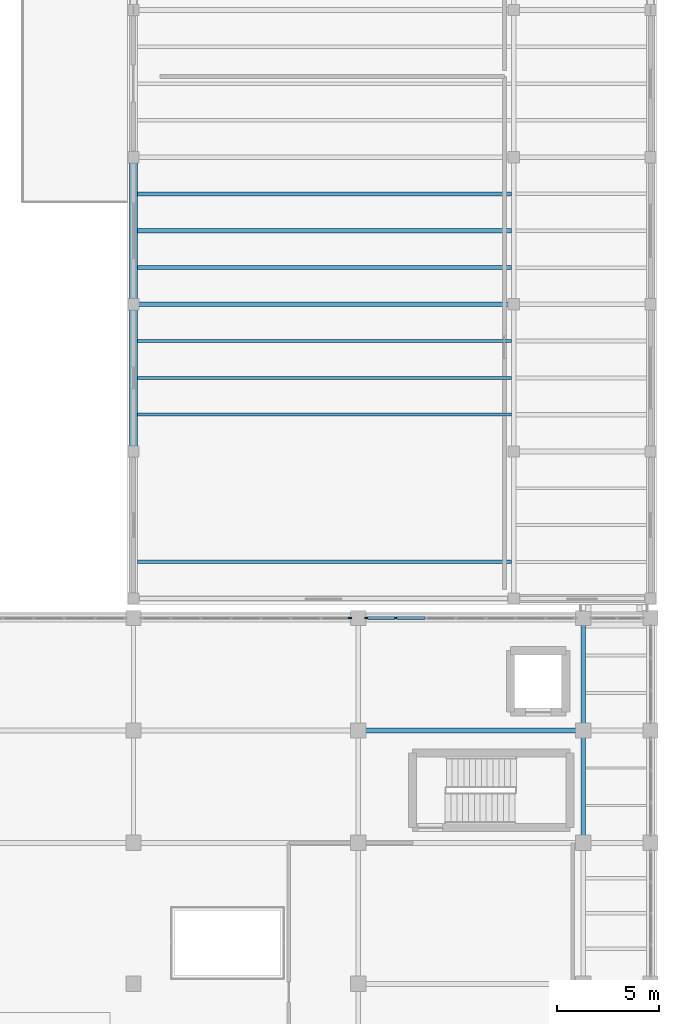
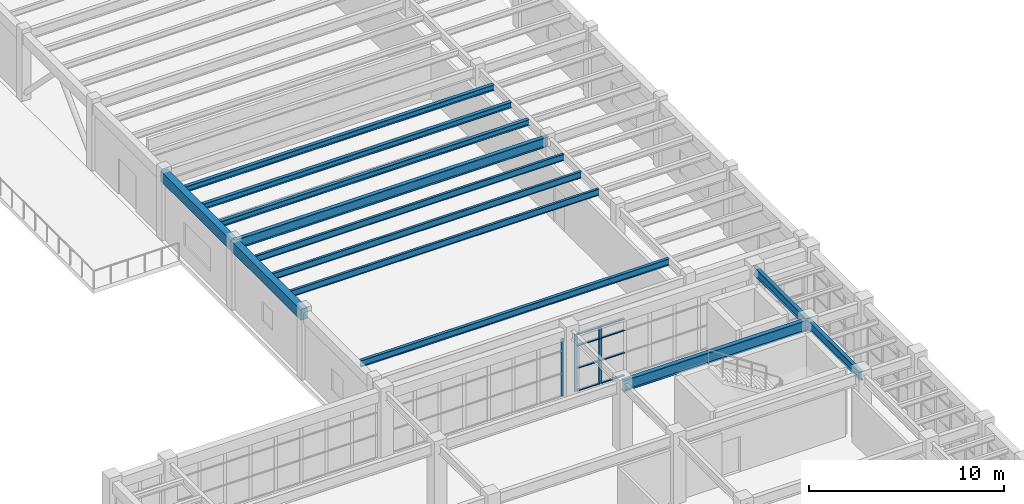
# One storey, part 44 of 85: 13 beams, 11 members, 2 elements without a shape of their own.
"""IFC4 building model written with IfcOpenShell, lengths in metres."""

from ifc_helpers import new_model, si_unit, direction, frame, origin, origin_2d, place, context, subcontext, project, spatial, rectangle, i_section, extrude, material, layer, layer_set, material_profile, profile_set, type_object, element, aggregate, save


model = new_model("IFC4")

# Units and contexts
model_context = context("Model", 3, precision=1e-05, world=origin(), true_north=direction((0.0, 1.0)))
body_context = subcontext(model_context, "Body", "Model", "MODEL_VIEW")
ifc_project = project(units=[si_unit("LENGTHUNIT", "METRE"), si_unit("AREAUNIT", "SQUARE_METRE"), si_unit("VOLUMEUNIT", "CUBIC_METRE"), si_unit("PLANEANGLEUNIT", "RADIAN"), si_unit("MASSUNIT", "GRAM", prefix="KILO")], contexts=[model_context])

# Site, building, storey
site_placement = place(None, origin())
site = spatial("IfcSite", under=ifc_project, at=site_placement, CompositionType="ELEMENT")
building_placement = place(site_placement, origin())
building = spatial("IfcBuilding", under=site, at=building_placement, Name="Candilejo Ridge Gondola Terminal", CompositionType="ELEMENT")
storey_placement = place(building_placement, frame((0.0, 0.0, 4.5)))
storey = spatial("IfcBuildingStorey", under=building, at=storey_placement, Name="L01", CompositionType="ELEMENT", Elevation=4.5)

# Curtain wall, member
ifc_material_1 = material(Name="Anodised aluminium AA 6063-T6", Category="aluminium")
ifc_layer = layer(ifc_material_1, 0.169921875)
ifc_layer_set = layer_set([ifc_layer], Name="ARC-CW-HALL-3800-1025X359")
curtain_wall_type = type_object("IfcCurtainWallType", Name="ARC-CW-HALL-3800-1025X359", PredefinedType="NOTDEFINED", material=ifc_layer_set)
curtain_wall_1_placement = place(storey_placement, origin())
curtain_wall_1 = element("IfcCurtainWall", 1, at=curtain_wall_1_placement, inside=storey, type_object=curtain_wall_type, Name="Curtain wall V4 L01-127", PredefinedType="NOTDEFINED")
ifc_material_2 = material(Name="Anodised aluminium AA 6063-T6", Category="aluminium")
ifc_material_profile_1 = material_profile(ifc_material_2, rectangle(XDim=0.06494140625, YDim=0.179931640625, at=origin_2d()))
ifc_profile_set_1 = profile_set([ifc_material_profile_1], Name="Anodised aluminium AA 6063-T6")
member_type_1 = type_object("IfcMemberType", Name="ARC-CW-MULLION-180", PredefinedType="MULLION", material=ifc_profile_set_1)
member_1_placement = place(storey_placement, frame((160.592529296875, 47.699951171875, 0.0), z_axis=(0.0, 0.0, 1.0), x_axis=(0.0, 1.0, 0.0)))
member_1 = element("IfcMember", 2, at=member_1_placement, type_object=member_type_1, Name="CW-102X35 mullion 8", PredefinedType="MULLION", context=body_context, shape_type="SweptSolid", body=[
    extrude(rectangle(XDim=0.06494140625, YDim=0.179931640625, at=origin_2d()), origin(), (0.0, 0.0, 1.0), 3.590087890625),
])
aggregate(curtain_wall_1, [member_1])

# Curtain wall, members
curtain_wall_2_placement = place(storey_placement, origin())
curtain_wall_2 = element("IfcCurtainWall", 3, at=curtain_wall_2_placement, inside=storey, type_object=curtain_wall_type, Name="Curtain wall V4 L01-129", PredefinedType="NOTDEFINED")
member_2_placement = place(storey_placement, frame((161.407470703125, 47.699951171875, 0.0), z_axis=(0.0, 0.0, 1.0), x_axis=(0.0, 1.0, 0.0)))
member_2 = element("IfcMember", 4, at=member_2_placement, type_object=member_type_1, Name="CW-102X35 mullion 1", PredefinedType="MULLION", context=body_context, shape_type="SweptSolid", body=[
    extrude(rectangle(XDim=0.06494140625, YDim=0.179931640625, at=origin_2d()), origin(), (0.0, 0.0, 1.0), 3.590087890625),
])
member_3_placement = place(storey_placement, frame((162.83935546875, 47.699951171875, 0.0), z_axis=(0.0, 0.0, 1.0), x_axis=(0.0, 1.0, 0.0)))
member_3 = element("IfcMember", 5, at=member_3_placement, type_object=member_type_1, Name="CW-102X35 mullion 2", PredefinedType="MULLION", context=body_context, shape_type="SweptSolid", body=[
    extrude(rectangle(XDim=0.06494140625, YDim=0.179931640625, at=origin_2d()), origin(), (0.0, 0.0, 1.0), 3.590087890625),
])
ifc_material_3 = material(Name="Anodised aluminium AA 6063-T6", Category="aluminium")
ifc_material_profile_2 = material_profile(ifc_material_3, rectangle(XDim=0.1298828125, YDim=0.06005859375, at=origin_2d()))
ifc_profile_set_2 = profile_set([ifc_material_profile_2], Name="Anodised aluminium AA 6063-T6")
member_type_2 = type_object("IfcMemberType", Name="ARC-CW-TRANSOM-130", PredefinedType="USERDEFINED", material=ifc_profile_set_2)
member_4_placement = place(storey_placement, frame((161.43994140625, 47.699951171875, 0.030029296875), z_axis=(1.0, 0.0, 0.0), x_axis=(0.0, 1.0, 0.0)))
member_4 = element("IfcMember", 6, at=member_4_placement, type_object=member_type_2, Name="CW-102X35 transom 1.1", ObjectType="TRANSOM", PredefinedType="USERDEFINED", context=body_context, shape_type="SweptSolid", body=[
    extrude(rectangle(XDim=0.1298828125, YDim=0.06005859375, at=origin_2d()), origin(), (0.0, 0.0, 1.0), 1.366943359375),
])
member_5_placement = place(storey_placement, frame((161.43994140625, 47.699951171875, 1.449951171875), z_axis=(1.0, 0.0, 0.0), x_axis=(0.0, 1.0, 0.0)))
member_5 = element("IfcMember", 7, at=member_5_placement, type_object=member_type_2, Name="CW-102X35 transom 1.2", ObjectType="TRANSOM", PredefinedType="USERDEFINED", context=body_context, shape_type="SweptSolid", body=[
    extrude(rectangle(XDim=0.1298828125, YDim=0.06005859375, at=origin_2d()), origin(), (0.0, 0.0, 1.0), 1.366943359375),
])
member_6_placement = place(storey_placement, frame((161.43994140625, 47.699951171875, 2.85009765625), z_axis=(1.0, 0.0, 0.0), x_axis=(0.0, 1.0, 0.0)))
member_6 = element("IfcMember", 8, at=member_6_placement, type_object=member_type_2, Name="CW-102X35 transom 1.3", ObjectType="TRANSOM", PredefinedType="USERDEFINED", context=body_context, shape_type="SweptSolid", body=[
    extrude(rectangle(XDim=0.1298828125, YDim=0.06005859375, at=origin_2d()), origin(), (0.0, 0.0, 1.0), 1.366943359375),
])
member_7_placement = place(storey_placement, frame((161.43994140625, 47.699951171875, 3.56005859375), z_axis=(1.0, 0.0, 0.0), x_axis=(0.0, 1.0, 0.0)))
member_7 = element("IfcMember", 9, at=member_7_placement, type_object=member_type_2, Name="CW-102X35 transom 1.4", ObjectType="TRANSOM", PredefinedType="USERDEFINED", context=body_context, shape_type="SweptSolid", body=[
    extrude(rectangle(XDim=0.1298828125, YDim=0.06005859375, at=origin_2d()), origin(), (0.0, 0.0, 1.0), 1.366943359375),
])
member_8_placement = place(storey_placement, frame((162.871826171875, 47.699951171875, 0.030029296875), z_axis=(1.0, 0.0, 0.0), x_axis=(0.0, 1.0, 0.0)))
member_8 = element("IfcMember", 10, at=member_8_placement, type_object=member_type_2, Name="CW-102X35 transom 2.1", ObjectType="TRANSOM", PredefinedType="USERDEFINED", context=body_context, shape_type="SweptSolid", body=[
    extrude(rectangle(XDim=0.1298828125, YDim=0.06005859375, at=origin_2d()), origin(), (0.0, 0.0, 1.0), 1.399169921875),
])
member_9_placement = place(storey_placement, frame((162.871826171875, 47.699951171875, 1.449951171875), z_axis=(1.0, 0.0, 0.0), x_axis=(0.0, 1.0, 0.0)))
member_9 = element("IfcMember", 11, at=member_9_placement, type_object=member_type_2, Name="CW-102X35 transom 2.2", ObjectType="TRANSOM", PredefinedType="USERDEFINED", context=body_context, shape_type="SweptSolid", body=[
    extrude(rectangle(XDim=0.1298828125, YDim=0.06005859375, at=origin_2d()), origin(), (0.0, 0.0, 1.0), 1.399169921875),
])
member_10_placement = place(storey_placement, frame((162.871826171875, 47.699951171875, 2.85009765625), z_axis=(1.0, 0.0, 0.0), x_axis=(0.0, 1.0, 0.0)))
member_10 = element("IfcMember", 12, at=member_10_placement, type_object=member_type_2, Name="CW-102X35 transom 2.3", ObjectType="TRANSOM", PredefinedType="USERDEFINED", context=body_context, shape_type="SweptSolid", body=[
    extrude(rectangle(XDim=0.1298828125, YDim=0.06005859375, at=origin_2d()), origin(), (0.0, 0.0, 1.0), 1.399169921875),
])
member_11_placement = place(storey_placement, frame((162.871826171875, 47.699951171875, 3.56005859375), z_axis=(1.0, 0.0, 0.0), x_axis=(0.0, 1.0, 0.0)))
member_11 = element("IfcMember", 13, at=member_11_placement, type_object=member_type_2, Name="CW-102X35 transom 2.4", ObjectType="TRANSOM", PredefinedType="USERDEFINED", context=body_context, shape_type="SweptSolid", body=[
    extrude(rectangle(XDim=0.1298828125, YDim=0.06005859375, at=origin_2d()), origin(), (0.0, 0.0, 1.0), 1.399169921875),
])
aggregate(curtain_wall_2, [member_2, member_3, member_4, member_5, member_6, member_7, member_8, member_9, member_10, member_11])

# Beams
ifc_material_4 = material(Name="Steel ASTM A992 Grade 50", Category="steel")
ifc_material_profile_3 = material_profile(ifc_material_4, i_section(OverallWidth=0.2109375, OverallDepth=0.5390625, WebThickness=0.01171875, FlangeThickness=0.018798828125, at=origin_2d()))
ifc_profile_set_3 = profile_set([ifc_material_profile_3], Name="Steel ASTM A992 Grade 50")
beam_type_1 = type_object("IfcBeamType", Name="STR-BM-W530X109", PredefinedType="BEAM", material=ifc_profile_set_3)
for number, where, z_axis, x_axis, name in (
    (14, (172.0, 36.699951171875, 3.930419921875), (0.0, 1.0, 0.0), (-1.0, 0.0, 0.0), "Beam Y V4 L01 Y07-Y08@X26"),
    (15, (172.0, 42.199951171875, 3.930419921875), (0.0, 1.0, 0.0), (-1.0, 0.0, 0.0), "Beam Y V4 L01 Y08-Y09@X26"),
):
    element("IfcBeam", number, at=place(storey_placement, frame(where, z_axis=z_axis, x_axis=x_axis)), inside=storey, type_object=beam_type_1, Name=name, PredefinedType="BEAM", context=body_context, shape_type="SweptSolid", body=[
        extrude(i_section(OverallWidth=0.2109375, OverallDepth=0.5390625, WebThickness=0.01171875, FlangeThickness=0.018798828125, at=origin_2d()), origin(), (0.0, 0.0, 1.0), 5.5),
    ])
ifc_material_5 = material(Name="Steel ASTM A992 Grade 50", Category="steel")
ifc_material_profile_4 = material_profile(ifc_material_5, i_section(OverallWidth=0.22900390625, OverallDepth=0.612060546875, WebThickness=0.011962890625, FlangeThickness=0.01953125, at=origin_2d()))
ifc_profile_set_4 = profile_set([ifc_material_profile_4], Name="Steel ASTM A992 Grade 50")
beam_type_2 = type_object("IfcBeamType", Name="STR-BM-W610X125", PredefinedType="BEAM", material=ifc_profile_set_4)
beam_1_placement = place(storey_placement, frame((150.0, 63.050048828125, 3.908935546875), z_axis=(1.0, 0.0, 0.0), x_axis=(0.0, 1.0, 0.0)))
element("IfcBeam", 16, at=beam_1_placement, inside=storey, type_object=beam_type_2, Name="Beam X V5 L01 X23-X25@Y12", PredefinedType="BEAM", context=body_context, shape_type="SweptSolid", body=[
    extrude(i_section(OverallWidth=0.22900390625, OverallDepth=0.612060546875, WebThickness=0.011962890625, FlangeThickness=0.01953125, at=origin_2d()), origin(), (0.0, 0.0, 1.0), 18.60009765625),
])
ifc_material_6 = material(Name="Steel ASTM A992 Grade 50", Category="steel")
ifc_material_profile_5 = material_profile(ifc_material_6, i_section(OverallWidth=0.25390625, OverallDepth=0.68408203125, WebThickness=0.012451171875, FlangeThickness=0.018798828125, at=origin_2d()))
ifc_profile_set_5 = profile_set([ifc_material_profile_5], Name="Steel ASTM A992 Grade 50")
beam_type_3 = type_object("IfcBeamType", Name="STR-BM-W690X140", PredefinedType="BEAM", material=ifc_profile_set_5)
beam_2_placement = place(storey_placement, frame((161.0, 42.199951171875, 3.85791015625), z_axis=(1.0, 0.0, 0.0), x_axis=(0.0, 1.0, 0.0)))
element("IfcBeam", 17, at=beam_2_placement, inside=storey, type_object=beam_type_3, Name="Beam X V4 L01 X24-X26@Y08", PredefinedType="BEAM", context=body_context, shape_type="SweptSolid", body=[
    extrude(i_section(OverallWidth=0.25390625, OverallDepth=0.68408203125, WebThickness=0.012451171875, FlangeThickness=0.018798828125, at=origin_2d()), origin(), (0.0, 0.0, 1.0), 11.0),
])
ifc_material_7 = material(Name="Steel ASTM A992 Grade 50", Category="steel")
ifc_material_profile_6 = material_profile(ifc_material_7, i_section(OverallWidth=0.205078125, OverallDepth=0.35400390625, WebThickness=0.009521484375, FlangeThickness=0.016845703125, at=origin_2d()))
ifc_profile_set_6 = profile_set([ifc_material_profile_6], Name="Steel ASTM A992 Grade 50")
beam_type_4 = type_object("IfcBeamType", Name="STR-JST-W360X79", PredefinedType="JOIST", material=ifc_profile_set_6)
for number, where, z_axis, x_axis, name in (
    (18, (150.199951171875, 64.85009765625, 4.0380859375), (1.0, 0.0, 0.0), (0.0, 1.0, 0.0), "Composite joist V5 L01-1204"),
    (19, (150.199951171875, 66.64990234375, 4.0380859375), (1.0, 0.0, 0.0), (0.0, 1.0, 0.0), "Composite joist V5 L01-1205"),
    (20, (150.199951171875, 68.449951171875, 4.0380859375), (1.0, 0.0, 0.0), (0.0, 1.0, 0.0), "Composite joist V5 L01-1206"),
):
    element("IfcBeam", number, at=place(storey_placement, frame(where, z_axis=z_axis, x_axis=x_axis)), inside=storey, type_object=beam_type_4, Name=name, PredefinedType="JOIST", context=body_context, shape_type="SweptSolid", body=[
        extrude(i_section(OverallWidth=0.205078125, OverallDepth=0.35400390625, WebThickness=0.009521484375, FlangeThickness=0.016845703125, at=origin_2d()), origin(), (0.0, 0.0, 1.0), 18.295654296875),
    ])
ifc_material_8 = material(Name="Steel ASTM A992 Grade 50", Category="steel")
ifc_material_profile_7 = material_profile(ifc_material_8, i_section(OverallWidth=0.139892578125, OverallDepth=0.403076171875, WebThickness=0.007080078125, FlangeThickness=0.01123046875, at=origin_2d()))
ifc_profile_set_7 = profile_set([ifc_material_profile_7], Name="Steel ASTM A992 Grade 50")
beam_type_5 = type_object("IfcBeamType", Name="STR-JST-W410X46", PredefinedType="JOIST", material=ifc_profile_set_7)
for number, where, z_axis, x_axis, name in (
    (21, (150.199951171875, 57.64990234375, 4.013427734375), (1.0, 0.0, 0.0), (0.0, 1.0, 0.0), "Composite joist V5 L01-1201"),
    (22, (150.199951171875, 59.449951171875, 4.013427734375), (1.0, 0.0, 0.0), (0.0, 1.0, 0.0), "Composite joist V5 L01-1202"),
    (23, (150.199951171875, 61.25, 4.013427734375), (1.0, 0.0, 0.0), (0.0, 1.0, 0.0), "Composite joist V5 L01-1203"),
):
    element("IfcBeam", number, at=place(storey_placement, frame(where, z_axis=z_axis, x_axis=x_axis)), inside=storey, type_object=beam_type_5, Name=name, PredefinedType="JOIST", context=body_context, shape_type="SweptSolid", body=[
        extrude(i_section(OverallWidth=0.139892578125, OverallDepth=0.403076171875, WebThickness=0.007080078125, FlangeThickness=0.01123046875, at=origin_2d()), origin(), (0.0, 0.0, 1.0), 18.295654296875),
    ])
ifc_material_9 = material(Name="Steel ASTM A992 Grade 50", Category="steel")
ifc_material_profile_8 = material_profile(ifc_material_9, i_section(OverallWidth=0.177978515625, OverallDepth=0.406982421875, WebThickness=0.0078125, FlangeThickness=0.0126953125, at=origin_2d()))
ifc_profile_set_8 = profile_set([ifc_material_profile_8], Name="Steel ASTM A992 Grade 50")
beam_type_6 = type_object("IfcBeamType", Name="STR-JST-W410X60", PredefinedType="JOIST", material=ifc_profile_set_8)
beam_3_placement = place(storey_placement, frame((150.199951171875, 50.449951171875, 4.011474609375), z_axis=(1.0, 0.0, 0.0), x_axis=(0.0, 1.0, 0.0)))
element("IfcBeam", 24, at=beam_3_placement, inside=storey, type_object=beam_type_6, Name="Composite joist V5 L01-1200", PredefinedType="JOIST", context=body_context, shape_type="SweptSolid", body=[
    extrude(i_section(OverallWidth=0.177978515625, OverallDepth=0.406982421875, WebThickness=0.0078125, FlangeThickness=0.0126953125, at=origin_2d()), origin(), (0.0, 0.0, 1.0), 18.295654296875),
])
ifc_material_10 = material(Name="Concrete f'c 35 MPa (C35/45)", Category="concrete")
ifc_material_profile_9 = material_profile(ifc_material_10, rectangle(XDim=0.39990234375, YDim=0.64990234375, at=origin_2d()))
ifc_profile_set_9 = profile_set([ifc_material_profile_9], Name="Concrete f'c 35 MPa (C35/45)")
beam_type_7 = type_object("IfcBeamType", Name="STR-SPN-RC400X650", PredefinedType="SPANDREL", material=ifc_profile_set_9)
for number, where, z_axis, x_axis, name in (
    (25, (150.0, 55.85009765625, 3.889892578125), (0.0, 1.0, 0.0), (-1.0, 0.0, 0.0), "Beam Y V5 L01 Y11-Y12@X23"),
    (26, (150.0, 63.050048828125, 3.889892578125), (0.0, 1.0, 0.0), (-1.0, 0.0, 0.0), "Beam Y V5 L01 Y12-Y13@X23"),
):
    element("IfcBeam", number, at=place(storey_placement, frame(where, z_axis=z_axis, x_axis=x_axis)), inside=storey, type_object=beam_type_7, Name=name, PredefinedType="SPANDREL", context=body_context, shape_type="SweptSolid", body=[
        extrude(rectangle(XDim=0.39990234375, YDim=0.64990234375, at=origin_2d()), origin(), (0.0, 0.0, 1.0), 7.199951171875),
    ])

save(model, "model.ifc")
